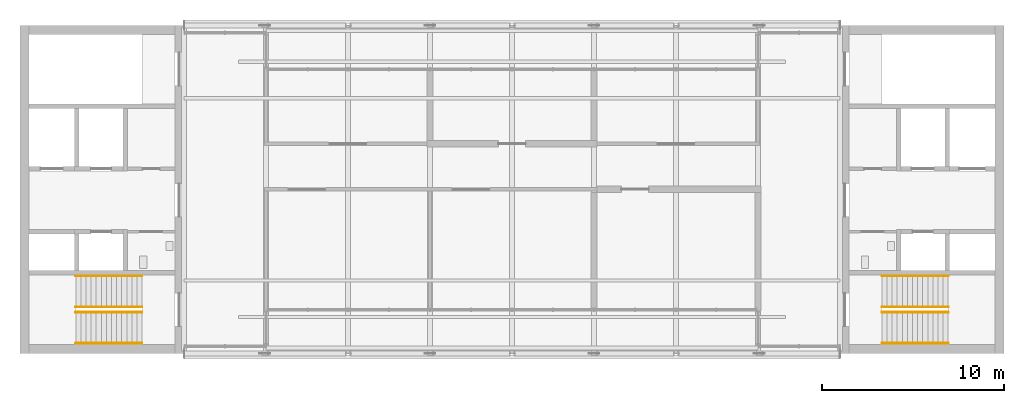
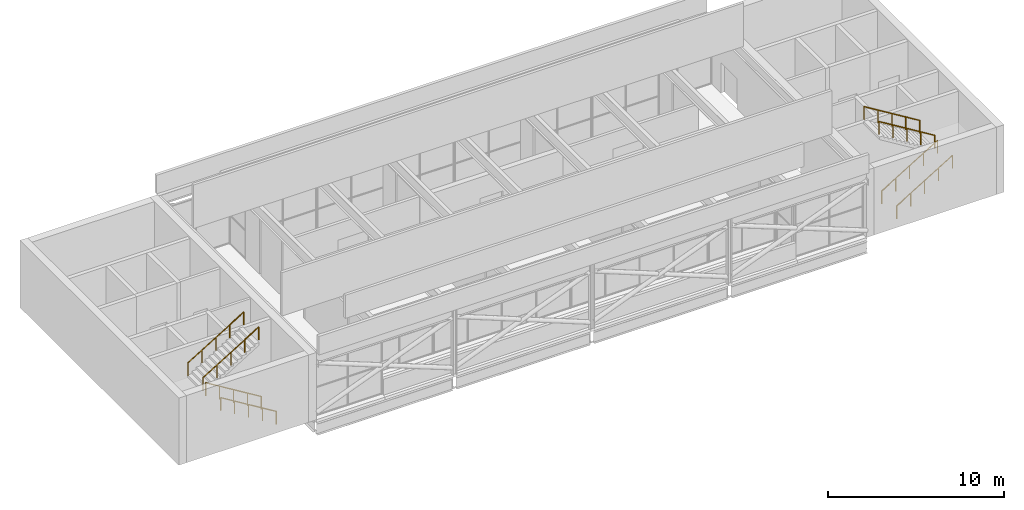
# One storey, part 12 of 13: 8 railings.
"""IFC4 building model written with IfcOpenShell, lengths in metres."""

from ifc_helpers import new_model, si_unit, direction, frame, origin, origin_2d, place, context, subcontext, project, spatial, circle, extrude, material, type_object, element, save


model = new_model("IFC4")

# Units and contexts
model_context = context("Model", 3, precision=1e-05, world=origin(), true_north=direction((0.0, 1.0)))
body_context = subcontext(model_context, "Body", "Model", "MODEL_VIEW")
ifc_project = project(units=[si_unit("LENGTHUNIT", "METRE"), si_unit("AREAUNIT", "SQUARE_METRE"), si_unit("VOLUMEUNIT", "CUBIC_METRE"), si_unit("PLANEANGLEUNIT", "RADIAN"), si_unit("MASSUNIT", "GRAM", prefix="KILO")], contexts=[model_context])

# Site, building, storey
site_placement = place(None, origin())
site = spatial("IfcSite", under=ifc_project, at=site_placement, CompositionType="ELEMENT")
building_placement = place(site_placement, origin())
building = spatial("IfcBuilding", under=site, at=building_placement, Name="Corbel Yard City Hall", CompositionType="ELEMENT")
storey_placement = place(building_placement, frame((0.0, 0.0, 71.199951171875)))
storey = spatial("IfcBuildingStorey", under=building, at=storey_placement, Name="L17", CompositionType="ELEMENT", Elevation=71.199951171875)

# Railings
ifc_material = material(Name="Stainless steel Grade 316", Category="steel")
railing_type = type_object("IfcRailingType", Name="HR1", PredefinedType="HANDRAIL", material=ifc_material)
for number, where, name in (
    (1, (6.699951171875, 99.550048828125, 0.17138671875), "Exit stair ST-W1 handrail"),
    (2, (6.699951171875, 101.25, 0.17138671875), "Exit stair ST-W1 handrail"),
):
    element("IfcRailing", number, at=place(storey_placement, frame(where)), inside=storey, type_object=railing_type, Name=name, PredefinedType="HANDRAIL", context=body_context, shape_type="SweptSolid", body=[
        extrude(circle(Radius=0.02392578125, at=origin_2d()), frame((0.0, 0.0, 0.8759765625), z_axis=(-0.852824790078, 0.0, 0.522197163366), x_axis=(0.0, -1.0, 0.0)), (0.0, 0.0, 1.0), 4.26806640625),
        extrude(circle(Radius=0.02099609375, at=origin_2d()), origin(), (0.0, 0.0, 1.0), 0.851806640625),
        extrude(circle(Radius=0.02099609375, at=origin_2d()), frame((-0.909912109375, 0.0, 0.55712890625)), (0.0, 0.0, 1.0), 0.851806640625),
        extrude(circle(Radius=0.02099609375, at=origin_2d()), frame((-1.81982421875, 0.0, 1.1142578125)), (0.0, 0.0, 1.0), 0.851806640625),
        extrude(circle(Radius=0.02099609375, at=origin_2d()), frame((-2.72998046875, 0.0, 1.671630859375)), (0.0, 0.0, 1.0), 0.851806640625),
        extrude(circle(Radius=0.02099609375, at=origin_2d()), frame((-3.639892578125, 0.0, 2.228759765625)), (0.0, 0.0, 1.0), 0.851806640625),
    ])
for number, where, name in (
    (3, (3.06005859375, 101.550048828125, 2.571533203125), "Exit stair ST-W1 handrail"),
    (4, (3.06005859375, 103.25, 2.571533203125), "Exit stair ST-W1 handrail"),
):
    element("IfcRailing", number, at=place(storey_placement, frame(where)), inside=storey, type_object=railing_type, Name=name, PredefinedType="HANDRAIL", context=body_context, shape_type="SweptSolid", body=[
        extrude(circle(Radius=0.02392578125, at=origin_2d()), frame((0.0, 0.0, 0.8759765625), z_axis=(0.852850264322, 0.0, 0.5221555579), x_axis=(0.0, 1.0, 0.0)), (0.0, 0.0, 1.0), 4.267822265625),
        extrude(circle(Radius=0.02099609375, at=origin_2d()), origin(), (0.0, 0.0, 1.0), 0.851806640625),
        extrude(circle(Radius=0.02099609375, at=origin_2d()), frame((0.909912109375, 0.0, 0.55712890625)), (0.0, 0.0, 1.0), 0.851806640625),
        extrude(circle(Radius=0.02099609375, at=origin_2d()), frame((1.81982421875, 0.0, 1.1142578125)), (0.0, 0.0, 1.0), 0.851806640625),
        extrude(circle(Radius=0.02099609375, at=origin_2d()), frame((2.72998046875, 0.0, 1.67138671875)), (0.0, 0.0, 1.0), 0.851806640625),
        extrude(circle(Radius=0.02099609375, at=origin_2d()), frame((3.639892578125, 0.0, 2.228515625)), (0.0, 0.0, 1.0), 0.851806640625),
    ])
for number, where, name in (
    (5, (47.300048828125, 99.550048828125, 0.17138671875), "Exit stair ST-E1 handrail"),
    (6, (47.300048828125, 101.25, 0.17138671875), "Exit stair ST-E1 handrail"),
):
    element("IfcRailing", number, at=place(storey_placement, frame(where)), inside=storey, type_object=railing_type, Name=name, PredefinedType="HANDRAIL", context=body_context, shape_type="SweptSolid", body=[
        extrude(circle(Radius=0.02392578125, at=origin_2d()), frame((0.0, 0.0, 0.8759765625), z_axis=(0.852824790078, 0.0, 0.522197163366), x_axis=(0.0, 1.0, 0.0)), (0.0, 0.0, 1.0), 4.26806640625),
        extrude(circle(Radius=0.02099609375, at=origin_2d()), origin(), (0.0, 0.0, 1.0), 0.851806640625),
        extrude(circle(Radius=0.02099609375, at=origin_2d()), frame((0.909912109375, 0.0, 0.55712890625)), (0.0, 0.0, 1.0), 0.851806640625),
        extrude(circle(Radius=0.02099609375, at=origin_2d()), frame((1.81982421875, 0.0, 1.1142578125)), (0.0, 0.0, 1.0), 0.851806640625),
        extrude(circle(Radius=0.02099609375, at=origin_2d()), frame((2.72998046875, 0.0, 1.671630859375)), (0.0, 0.0, 1.0), 0.851806640625),
        extrude(circle(Radius=0.02099609375, at=origin_2d()), frame((3.639892578125, 0.0, 2.228759765625)), (0.0, 0.0, 1.0), 0.851806640625),
    ])
for number, where, name in (
    (7, (50.93994140625, 101.550048828125, 2.571533203125), "Exit stair ST-E1 handrail"),
    (8, (50.93994140625, 103.25, 2.571533203125), "Exit stair ST-E1 handrail"),
):
    element("IfcRailing", number, at=place(storey_placement, frame(where)), inside=storey, type_object=railing_type, Name=name, PredefinedType="HANDRAIL", context=body_context, shape_type="SweptSolid", body=[
        extrude(circle(Radius=0.02392578125, at=origin_2d()), frame((0.0, 0.0, 0.8759765625), z_axis=(-0.852850264322, 0.0, 0.5221555579), x_axis=(0.0, -1.0, 0.0)), (0.0, 0.0, 1.0), 4.267822265625),
        extrude(circle(Radius=0.02099609375, at=origin_2d()), origin(), (0.0, 0.0, 1.0), 0.851806640625),
        extrude(circle(Radius=0.02099609375, at=origin_2d()), frame((-0.909912109375, 0.0, 0.55712890625)), (0.0, 0.0, 1.0), 0.851806640625),
        extrude(circle(Radius=0.02099609375, at=origin_2d()), frame((-1.81982421875, 0.0, 1.1142578125)), (0.0, 0.0, 1.0), 0.851806640625),
        extrude(circle(Radius=0.02099609375, at=origin_2d()), frame((-2.72998046875, 0.0, 1.67138671875)), (0.0, 0.0, 1.0), 0.851806640625),
        extrude(circle(Radius=0.02099609375, at=origin_2d()), frame((-3.639892578125, 0.0, 2.228515625)), (0.0, 0.0, 1.0), 0.851806640625),
    ])

save(model, "model.ifc")
